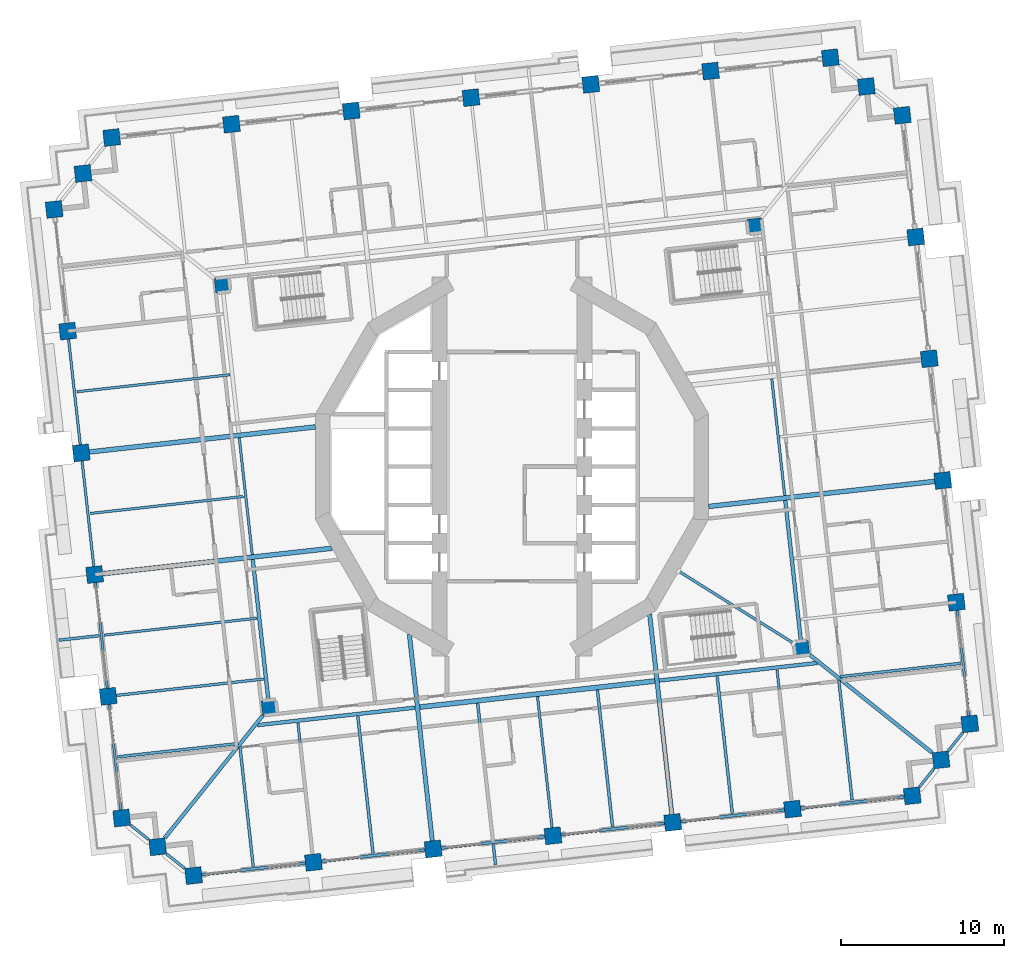
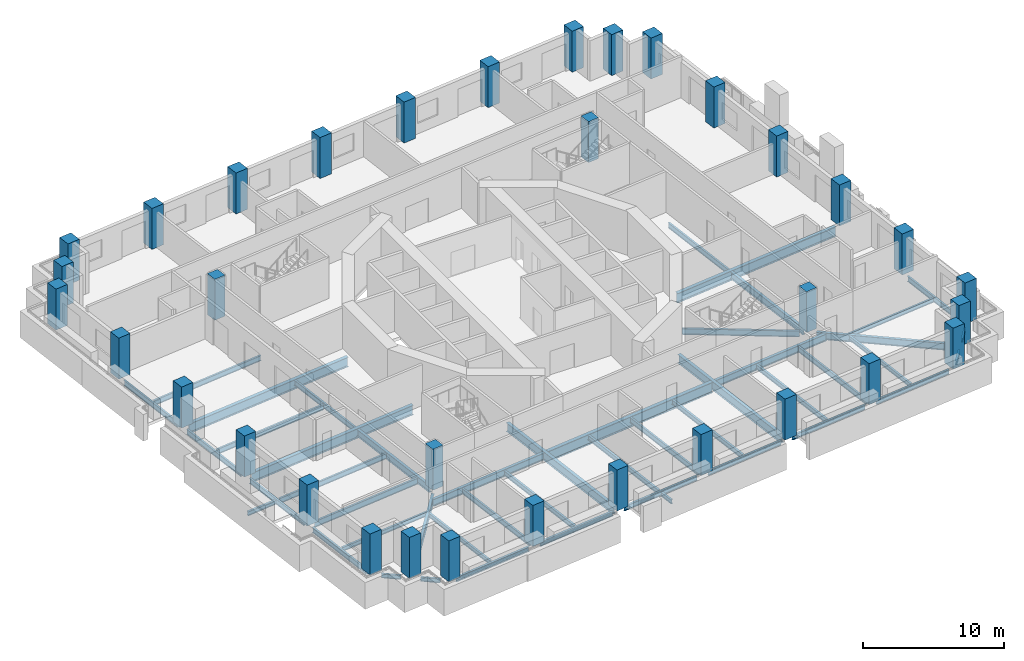
# One storey, part 1 of 19: 47 beams, 34 columns.
"""IFC4 building model written with IfcOpenShell, lengths in metres."""

from ifc_helpers import new_model, si_unit, direction, frame, origin, origin_2d, place, context, subcontext, project, spatial, rectangle, i_section, extrude, material, material_profile, profile_set, type_object, element, save


model = new_model("IFC4")

# Units and contexts
model_context = context("Model", 3, precision=1e-05, world=origin(), true_north=direction((0.0, 1.0)))
body_context = subcontext(model_context, "Body", "Model", "MODEL_VIEW")
ifc_project = project(units=[si_unit("LENGTHUNIT", "METRE"), si_unit("AREAUNIT", "SQUARE_METRE"), si_unit("VOLUMEUNIT", "CUBIC_METRE"), si_unit("PLANEANGLEUNIT", "RADIAN"), si_unit("MASSUNIT", "GRAM", prefix="KILO")], contexts=[model_context])

# Site, building, storey
site_placement = place(None, origin())
site = spatial("IfcSite", under=ifc_project, at=site_placement, CompositionType="ELEMENT")
building_placement = place(site_placement, origin())
building = spatial("IfcBuilding", under=site, at=building_placement, Name="Cantera Rosa Tower", CompositionType="ELEMENT")
storey_placement = place(building_placement, frame((0.0, 0.0, 65.300048828125)))
storey = spatial("IfcBuildingStorey", under=building, at=storey_placement, Name="L13", CompositionType="ELEMENT", Elevation=65.300048828125)

# Columns
ifc_material_1 = material(Name="Concrete C70/85", Category="concrete")
ifc_material_profile_1 = material_profile(ifc_material_1, rectangle(XDim=1.0, YDim=1.0, at=origin_2d()), Name="RC COLUMN RC1000X1000 C70/85")
ifc_profile_set_1 = profile_set([ifc_material_profile_1], Name="Concrete C70/85")
column_type_1 = type_object("IfcColumnType", Name="RC COLUMN RC1000X1000 C70/85", PredefinedType="COLUMN", material=ifc_profile_set_1)
for number, where, z_axis, x_axis, name in (
    (1, (28.114013671875, -15.795166015625, 0.0), (0.0, 0.0, 1.0), (0.993896946415, 0.110312555526, 0.0), "C-Z1-01 L13"),
    (2, (27.284423828125, -8.321044921875, 0.0), (0.0, 0.0, 1.0), (0.993896946415, 0.110312555526, 0.0), "C-Z1-02 L13"),
    (3, (26.454833984375, -0.846923828125, 0.0), (0.0, 0.0, 1.0), (0.993896946415, 0.110312555526, 0.0), "C-Z1-03 L13"),
    (4, (25.625244140625, 6.627197265625, 0.0), (0.0, 0.0, 1.0), (0.993896946415, 0.110312555526, 0.0), "C-Z1-04 L13"),
    (5, (24.795654296875, 14.101318359375, 0.0), (0.0, 0.0, 1.0), (0.993896946415, 0.110312555526, 0.0), "C-Z1-05 L13"),
    (6, (23.96630859375, 21.575439453125, 0.0), (0.0, 0.0, 1.0), (0.993896946415, 0.110312555526, 0.0), "C-Z1-06 L13"),
    (7, (21.7578125, 23.342529296875, 0.0), (0.0, 0.0, 1.0), (0.993896946415, 0.110312555526, 0.0), "C-Z1-07 L13"),
    (8, (19.54931640625, 25.10986328125, 0.0), (0.0, 0.0, 1.0), (0.993896946415, 0.110312555526, 0.0), "C-Z1-08 L13"),
    (9, (12.194580078125, 24.29345703125, 0.0), (0.0, 0.0, 1.0), (0.993896946415, 0.110312555526, 0.0), "C-Z1-09 L13"),
    (10, (4.839599609375, 23.47705078125, 0.0), (0.0, 0.0, 1.0), (0.993896946415, 0.110312555526, 0.0), "C-Z1-10 L13"),
    (11, (-2.51513671875, 22.660888671875, 0.0), (0.0, 0.0, 1.0), (0.993896946415, 0.110312555526, 0.0), "C-Z1-11 L13"),
    (12, (-9.869873046875, 21.844482421875, 0.0), (0.0, 0.0, 1.0), (0.993896946415, 0.110312555526, 0.0), "C-Z1-12 L13"),
    (13, (-17.224853515625, 21.0283203125, 0.0), (0.0, 0.0, 1.0), (0.993896946415, 0.110312555526, 0.0), "C-Z1-13 L13"),
    (14, (-24.57958984375, 20.2119140625, 0.0), (0.0, 0.0, 1.0), (0.993896946415, 0.110312555526, 0.0), "C-Z1-14 L13"),
    (15, (-26.346923828125, 18.00341796875, 0.0), (0.0, 0.0, 1.0), (0.993896946415, 0.110312555526, 0.0), "C-Z1-15 L13"),
    (16, (-28.114013671875, 15.795166015625, 0.0), (0.0, 0.0, 1.0), (0.993896946415, 0.110312555526, 0.0), "C-Z1-16 L13"),
    (17, (-27.284423828125, 8.321044921875, 0.0), (0.0, 0.0, 1.0), (0.993896946415, 0.110312555526, 0.0), "C-Z1-17 L13"),
    (18, (-26.454833984375, 0.846923828125, 0.0), (0.0, 0.0, 1.0), (0.993896946415, 0.110312555526, 0.0), "C-Z1-18 L13"),
    (19, (-25.625244140625, -6.627197265625, 0.0), (0.0, 0.0, 1.0), (0.993896946415, 0.110312555526, 0.0), "C-Z1-19 L13"),
    (20, (-24.795654296875, -14.101318359375, 0.0), (0.0, 0.0, 1.0), (0.993896946415, 0.110312555526, 0.0), "C-Z1-20 L13"),
    (21, (-23.96630859375, -21.575439453125, 0.0), (0.0, 0.0, 1.0), (0.993896946415, 0.110312555526, 0.0), "C-Z1-21 L13"),
    (22, (-21.7578125, -23.342529296875, 0.0), (0.0, 0.0, 1.0), (0.993896946415, 0.110312555526, 0.0), "C-Z1-22 L13"),
    (23, (-19.54931640625, -25.10986328125, 0.0), (0.0, 0.0, 1.0), (0.993896946415, 0.110312555526, 0.0), "C-Z1-23 L13"),
    (24, (-12.194580078125, -24.29345703125, 0.0), (0.0, 0.0, 1.0), (0.993896946415, 0.110312555526, 0.0), "C-Z1-24 L13"),
    (25, (-4.839599609375, -23.47705078125, 0.0), (0.0, 0.0, 1.0), (0.993896946415, 0.110312555526, 0.0), "C-Z1-25 L13"),
    (26, (2.51513671875, -22.660888671875, 0.0), (0.0, 0.0, 1.0), (0.993896946415, 0.110312555526, 0.0), "C-Z1-26 L13"),
    (27, (9.869873046875, -21.844482421875, 0.0), (0.0, 0.0, 1.0), (0.993896946415, 0.110312555526, 0.0), "C-Z1-27 L13"),
    (28, (17.224853515625, -21.0283203125, 0.0), (0.0, 0.0, 1.0), (0.993896946415, 0.110312555526, 0.0), "C-Z1-28 L13"),
    (29, (24.57958984375, -20.2119140625, 0.0), (0.0, 0.0, 1.0), (0.993896946415, 0.110312555526, 0.0), "C-Z1-29 L13"),
    (30, (26.346923828125, -18.00341796875, 0.0), (0.0, 0.0, 1.0), (0.993896946415, 0.110312555526, 0.0), "C-Z1-30 L13"),
):
    element("IfcColumn", number, at=place(storey_placement, frame(where, z_axis=z_axis, x_axis=x_axis)), inside=storey, type_object=column_type_1, Name=name, PredefinedType="COLUMN", context=body_context, shape_type="SweptSolid", body=[
        extrude(rectangle(XDim=1.0, YDim=1.0, at=origin_2d()), origin(), (0.0, 0.0, 1.0), 3.550048828125),
    ])
ifc_material_2 = material(Name="Concrete C70/85", Category="concrete")
ifc_material_profile_2 = material_profile(ifc_material_2, rectangle(XDim=0.89990234375, YDim=0.89990234375, at=origin_2d()), Name="RC RING COLUMN RC900X900 C70/85")
ifc_profile_set_2 = profile_set([ifc_material_profile_2], Name="Concrete C70/85")
column_type_2 = type_object("IfcColumnType", Name="RC RING COLUMN RC900X900 C70/85", PredefinedType="COLUMN", material=ifc_profile_set_2)
for number, where, z_axis, x_axis, name in (
    (31, (14.909912109375, 14.784912109375, 0.0), (0.0, 0.0, 1.0), (0.993896946415, 0.110312555526, 0.0), "CI-Z1-1 L13"),
    (32, (-17.7890625, 11.15576171875, 0.0), (0.0, 0.0, 1.0), (0.993896946415, 0.110312555526, 0.0), "CI-Z1-2 L13"),
    (33, (-14.909912109375, -14.784912109375, 0.0), (0.0, 0.0, 1.0), (0.993896946415, 0.110312555526, 0.0), "CI-Z1-3 L13"),
    (34, (17.7890625, -11.15576171875, 0.0), (0.0, 0.0, 1.0), (0.993896946415, 0.110312555526, 0.0), "CI-Z1-4 L13"),
):
    element("IfcColumn", number, at=place(storey_placement, frame(where, z_axis=z_axis, x_axis=x_axis)), inside=storey, type_object=column_type_2, Name=name, PredefinedType="COLUMN", context=body_context, shape_type="SweptSolid", body=[
        extrude(rectangle(XDim=0.89990234375, YDim=0.89990234375, at=origin_2d()), origin(), (0.0, 0.0, 1.0), 3.550048828125),
    ])

# Beams
ifc_material_3 = material(Name="Steel ASTM A992 (Fy 345 MPa)", Category="steel")
ifc_material_profile_3 = material_profile(ifc_material_3, i_section(OverallWidth=0.154052734375, OverallDepth=0.4599609375, WebThickness=0.009033203125, FlangeThickness=0.015380859375, FilletRadius=0.01025390625, at=origin_2d()), Name="W460X68")
ifc_profile_set_3 = profile_set([ifc_material_profile_3], Name="Steel ASTM A992 (Fy 345 MPa)")
beam_type_1 = type_object("IfcBeamType", Name="STEEL BEAM W460X68", PredefinedType="BEAM", material=ifc_profile_set_3)
beam_1_placement = place(storey_placement, frame((-12.249755859375, -23.796630859375, -0.47998046875), z_axis=(-0.110312435488, 0.993896959738, 0.0), x_axis=(-0.993896959738, -0.110312435488, 0.0)))
element("IfcBeam", 35, at=beam_1_placement, inside=storey, type_object=beam_type_1, Name="G-Z1-10 L13", PredefinedType="BEAM", context=body_context, shape_type="SweptSolid", body=[
    extrude(i_section(OverallWidth=0.154052734375, OverallDepth=0.4599609375, WebThickness=0.009033203125, FlangeThickness=0.015380859375, FilletRadius=0.01025390625, at=origin_2d()), origin(), (0.0, 0.0, 1.0), 8.10009765625),
])
for number, where, z_axis, x_axis, name in (
    (36, (2.4599609375, -22.163818359375, -0.47998046875), (-0.110315740112, 0.993896592953, 0.0), (-0.993896592953, -0.110315740112, 0.0), "G-Z1-12 L13"),
    (37, (17.169677734375, -20.53125, -0.47998046875), (-0.110315740112, 0.993896592953, 0.0), (-0.993896592953, -0.110315740112, 0.0), "G-Z1-14 L13"),
):
    element("IfcBeam", number, at=place(storey_placement, frame(where, z_axis=z_axis, x_axis=x_axis)), inside=storey, type_object=beam_type_1, Name=name, PredefinedType="BEAM", context=body_context, shape_type="SweptSolid", body=[
        extrude(i_section(OverallWidth=0.154052734375, OverallDepth=0.4599609375, WebThickness=0.009033203125, FlangeThickness=0.015380859375, FilletRadius=0.01025390625, at=origin_2d()), origin(), (0.0, 0.0, 1.0), 8.099853515625),
    ])
for number, where, z_axis, x_axis, name in (
    (38, (16.747802734375, -1.7734375, -0.47998046875), (-0.110301629462, 0.993898159037, 0.0), (-0.993898159037, -0.110301629462, 0.0), "RB-Z1-08 L13"),
    (39, (-15.951416015625, -5.402587890625, -0.47998046875), (-0.110301629462, 0.993898159037, 0.0), (-0.993898159037, -0.110301629462, 0.0), "RB-Z1-11 L13"),
):
    element("IfcBeam", number, at=place(storey_placement, frame(where, z_axis=z_axis, x_axis=x_axis)), inside=storey, type_object=beam_type_1, Name=name, PredefinedType="BEAM", context=body_context, shape_type="SweptSolid", body=[
        extrude(i_section(OverallWidth=0.154052734375, OverallDepth=0.4599609375, WebThickness=0.009033203125, FlangeThickness=0.015380859375, FilletRadius=0.01025390625, at=origin_2d()), origin(), (0.0, 0.0, 1.0), 7.219970703125),
    ])
ifc_material_4 = material(Name="Steel ASTM A992 (Fy 345 MPa)", Category="steel")
ifc_material_profile_4 = material_profile(ifc_material_4, i_section(OverallWidth=0.166015625, OverallDepth=0.528076171875, WebThickness=0.009765625, FlangeThickness=0.013671875, FilletRadius=0.0126953125, at=origin_2d()), Name="W530X74")
ifc_profile_set_4 = profile_set([ifc_material_profile_4], Name="Steel ASTM A992 (Fy 345 MPa)")
beam_type_2 = type_object("IfcBeamType", Name="STEEL BEAM W530X74", PredefinedType="BEAM", material=ifc_profile_set_4)
beam_2_placement = place(storey_placement, frame((-24.298828125, -14.046142578125, -0.51416015625), z_axis=(0.993896161189, 0.110319630049, 0.0), x_axis=(-0.110319630049, 0.993896161189, 0.0)))
element("IfcBeam", 40, at=beam_2_placement, inside=storey, type_object=beam_type_2, Name="G-Z1-18 L13", PredefinedType="BEAM", context=body_context, shape_type="SweptSolid", body=[
    extrude(i_section(OverallWidth=0.166015625, OverallDepth=0.528076171875, WebThickness=0.009765625, FlangeThickness=0.013671875, FilletRadius=0.0126953125, at=origin_2d()), origin(), (0.0, 0.0, 1.0), 9.10009765625),
])
beam_3_placement = place(storey_placement, frame((17.302490234375, -10.8505859375, -0.51416015625), z_axis=(-0.847189957301, 0.531290105543, 0.0), x_axis=(-0.531290105543, -0.847189957301, 0.0)))
element("IfcBeam", 41, at=beam_3_placement, inside=storey, type_object=beam_type_2, Name="PG-Z1-01 L13", PredefinedType="BEAM", context=body_context, shape_type="SweptSolid", body=[
    extrude(i_section(OverallWidth=0.166015625, OverallDepth=0.528076171875, WebThickness=0.009765625, FlangeThickness=0.013671875, FilletRadius=0.0126953125, at=origin_2d()), origin(), (0.0, 0.0, 1.0), 8.34130859375),
])
ifc_material_5 = material(Name="Steel ASTM A992 (Fy 345 MPa)", Category="steel")
ifc_material_profile_5 = material_profile(ifc_material_5, i_section(OverallWidth=0.22802734375, OverallDepth=0.60205078125, WebThickness=0.010498046875, FlangeThickness=0.014892578125, FilletRadius=0.0126953125, at=origin_2d()), Name="W610X101")
ifc_profile_set_5 = profile_set([ifc_material_profile_5], Name="Steel ASTM A992 (Fy 345 MPa)")
beam_type_3 = type_object("IfcBeamType", Name="STEEL BEAM W610X101", PredefinedType="BEAM", material=ifc_profile_set_5)
beam_4_placement = place(storey_placement, frame((-21.31591796875, -22.79052734375, -0.551025390625), z_axis=(0.624787924463, 0.780794498857, 0.0), x_axis=(-0.780794498857, 0.624787924463, 0.0)))
element("IfcBeam", 42, at=beam_4_placement, inside=storey, type_object=beam_type_3, Name="CB-Z1-03 L13", PredefinedType="BEAM", context=body_context, shape_type="SweptSolid", body=[
    extrude(i_section(OverallWidth=0.22802734375, OverallDepth=0.60205078125, WebThickness=0.010498046875, FlangeThickness=0.014892578125, FilletRadius=0.0126953125, at=origin_2d()), origin(), (0.0, 0.0, 1.0), 9.616455078125),
])
beam_5_placement = place(storey_placement, frame((25.794677734375, -17.561767578125, -0.551025390625), z_axis=(-0.78078211406, 0.62480340137, 0.0), x_axis=(-0.62480340137, -0.78078211406, 0.0)))
element("IfcBeam", 43, at=beam_5_placement, inside=storey, type_object=beam_type_3, Name="CB-Z1-04 L13", PredefinedType="BEAM", context=body_context, shape_type="SweptSolid", body=[
    extrude(i_section(OverallWidth=0.22802734375, OverallDepth=0.60205078125, WebThickness=0.010498046875, FlangeThickness=0.014892578125, FilletRadius=0.0126953125, at=origin_2d()), origin(), (0.0, 0.0, 1.0), 9.61669921875),
])
for number, where, z_axis, x_axis, name in (
    (44, (17.739501953125, -10.70849609375, -0.551025390625), (-0.110298932846, 0.993898458301, 0.0), (-0.993898458301, -0.110298932846, 0.0), "RB-Z1-07 L13"),
    (45, (-14.959716796875, -14.337646484375, -0.551025390625), (-0.110298932846, 0.993898458301, 0.0), (-0.993898458301, -0.110298932846, 0.0), "RB-Z1-10 L13"),
):
    element("IfcBeam", number, at=place(storey_placement, frame(where, z_axis=z_axis, x_axis=x_axis)), inside=storey, type_object=beam_type_3, Name=name, PredefinedType="BEAM", context=body_context, shape_type="SweptSolid", body=[
        extrude(i_section(OverallWidth=0.22802734375, OverallDepth=0.60205078125, WebThickness=0.010498046875, FlangeThickness=0.014892578125, FilletRadius=0.0126953125, at=origin_2d()), origin(), (0.0, 0.0, 1.0), 8.68994140625),
    ])
ifc_material_6 = material(Name="Steel ASTM A992 (Fy 345 MPa)", Category="steel")
ifc_material_profile_6 = material_profile(ifc_material_6, i_section(OverallWidth=0.22900390625, OverallDepth=0.612060546875, WebThickness=0.011962890625, FlangeThickness=0.01953125, FilletRadius=0.0126953125, at=origin_2d()), Name="W610X125")
ifc_profile_set_6 = profile_set([ifc_material_profile_6], Name="Steel ASTM A992 (Fy 345 MPa)")
beam_type_4 = type_object("IfcBeamType", Name="STEEL BEAM W610X125", PredefinedType="BEAM", material=ifc_profile_set_6)
beam_6_placement = place(storey_placement, frame((-15.64453125, -15.87255859375, -0.55615234375), z_axis=(0.993898078625, 0.110302354035, 0.0), x_axis=(-0.110302354035, 0.993898078625, 0.0)))
element("IfcBeam", 46, at=beam_6_placement, inside=storey, type_object=beam_type_4, Name="RB-Z1-04 L13", PredefinedType="BEAM", context=body_context, shape_type="SweptSolid", body=[
    extrude(i_section(OverallWidth=0.22900390625, OverallDepth=0.612060546875, WebThickness=0.011962890625, FlangeThickness=0.01953125, FilletRadius=0.0126953125, at=origin_2d()), origin(), (0.0, 0.0, 1.0), 9.75),
])
beam_7_placement = place(storey_placement, frame((9.0537109375, -13.13134765625, -0.55615234375), z_axis=(0.993898383269, 0.110299608956, 0.0), x_axis=(-0.110299608956, 0.993898383269, 0.0)))
element("IfcBeam", 47, at=beam_7_placement, inside=storey, type_object=beam_type_4, Name="RB-Z1-06 L13", PredefinedType="BEAM", context=body_context, shape_type="SweptSolid", body=[
    extrude(i_section(OverallWidth=0.22900390625, OverallDepth=0.612060546875, WebThickness=0.011962890625, FlangeThickness=0.01953125, FilletRadius=0.0126953125, at=origin_2d()), origin(), (0.0, 0.0, 1.0), 9.750244140625),
])
ifc_material_7 = material(Name="Steel ASTM A992 (Fy 345 MPa)", Category="steel")
ifc_material_profile_7 = material_profile(ifc_material_7, i_section(OverallWidth=0.26708984375, OverallDepth=0.75390625, WebThickness=0.01318359375, FlangeThickness=0.01708984375, FilletRadius=0.0166015625, at=origin_2d()), Name="W760X147")
ifc_profile_set_7 = profile_set([ifc_material_profile_7], Name="Steel ASTM A992 (Fy 345 MPa)")
beam_type_5 = type_object("IfcBeamType", Name="STEEL BEAM W760X147", PredefinedType="BEAM", material=ifc_profile_set_7)
beam_8_placement = place(storey_placement, frame((-4.894775390625, -22.980224609375, -0.626953125), z_axis=(-0.11031177493, 0.993897033053, 0.0), x_axis=(-0.993897033053, -0.11031177493, 0.0)))
element("IfcBeam", 48, at=beam_8_placement, inside=storey, type_object=beam_type_5, Name="G-Z1-11 L13", PredefinedType="BEAM", context=body_context, shape_type="SweptSolid", body=[
    extrude(i_section(OverallWidth=0.26708984375, OverallDepth=0.75390625, WebThickness=0.01318359375, FlangeThickness=0.01708984375, FilletRadius=0.0166015625, at=origin_2d()), origin(), (0.0, 0.0, 1.0), 12.754638671875),
])
beam_9_placement = place(storey_placement, frame((9.814697265625, -21.34765625, -0.626953125), z_axis=(-0.110292782244, 0.993899140851, 0.0), x_axis=(-0.993899140851, -0.110292782244, 0.0)))
element("IfcBeam", 49, at=beam_9_placement, inside=storey, type_object=beam_type_5, Name="G-Z1-13 L13", PredefinedType="BEAM", context=body_context, shape_type="SweptSolid", body=[
    extrude(i_section(OverallWidth=0.26708984375, OverallDepth=0.75390625, WebThickness=0.01318359375, FlangeThickness=0.01708984375, FilletRadius=0.0166015625, at=origin_2d()), origin(), (0.0, 0.0, 1.0), 12.360595703125),
])
ifc_material_8 = material(Name="Steel ASTM A992 (Fy 345 MPa)", Category="steel")
ifc_material_profile_8 = material_profile(ifc_material_8, i_section(OverallWidth=0.2919921875, OverallDepth=0.8359375, WebThickness=0.013916015625, FlangeThickness=0.018798828125, FilletRadius=0.017822265625, at=origin_2d()), Name="W840X176")
ifc_profile_set_8 = profile_set([ifc_material_profile_8], Name="Steel ASTM A992 (Fy 345 MPa)")
beam_type_6 = type_object("IfcBeamType", Name="STEEL BEAM W840X176", PredefinedType="BEAM", material=ifc_profile_set_8)
for number, where, z_axis, x_axis, name in (
    (50, (25.9580078125, -0.902099609375, -0.66796875), (-0.993898644981, -0.110297250672, 0.0), (0.110297250672, -0.993898644981, 0.0), "G-Z1-02 L13"),
    (51, (-25.9580078125, 0.902099609375, -0.66796875), (0.993898644981, 0.110297250672, 0.0), (-0.110297250672, 0.993898644981, 0.0), "G-Z1-16 L13"),
):
    element("IfcBeam", number, at=place(storey_placement, frame(where, z_axis=z_axis, x_axis=x_axis)), inside=storey, type_object=beam_type_6, Name=name, PredefinedType="BEAM", context=body_context, shape_type="SweptSolid", body=[
        extrude(i_section(OverallWidth=0.2919921875, OverallDepth=0.8359375, WebThickness=0.013916015625, FlangeThickness=0.018798828125, FilletRadius=0.017822265625, at=origin_2d()), origin(), (0.0, 0.0, 1.0), 13.96923828125),
    ])
beam_10_placement = place(storey_placement, frame((-25.12841796875, -6.572021484375, -0.66796875), z_axis=(0.993897599241, 0.110306673519, 0.0), x_axis=(-0.110306673519, 0.993897599241, 0.0)))
element("IfcBeam", 52, at=beam_10_placement, inside=storey, type_object=beam_type_6, Name="G-Z1-17 L13", PredefinedType="BEAM", context=body_context, shape_type="SweptSolid", body=[
    extrude(i_section(OverallWidth=0.2919921875, OverallDepth=0.8359375, WebThickness=0.013916015625, FlangeThickness=0.018798828125, FilletRadius=0.017822265625, at=origin_2d()), origin(), (0.0, 0.0, 1.0), 14.1650390625),
])
ifc_material_9 = material(Name="Steel ASTM A992 (Fy 345 MPa)", Category="steel")
ifc_material_profile_9 = material_profile(ifc_material_9, i_section(OverallWidth=0.304931640625, OverallDepth=0.9189453125, WebThickness=0.017333984375, FlangeThickness=0.02783203125, FilletRadius=0.01904296875, at=origin_2d()), Name="W920X253")
ifc_profile_set_9 = profile_set([ifc_material_profile_9], Name="Steel ASTM A992 (Fy 345 MPa)")
beam_type_7 = type_object("IfcBeamType", Name="STEEL BEAM W920X253", PredefinedType="BEAM", material=ifc_profile_set_9)
beam_11_placement = place(storey_placement, frame((-5.65576171875, -14.763916015625, -0.70947265625), z_axis=(0.993898099692, 0.110302164209, 0.0), x_axis=(-0.110302164209, 0.993898099692, 0.0)))
element("IfcBeam", 53, at=beam_11_placement, inside=storey, type_object=beam_type_7, Name="RB-Z1-05 L13", PredefinedType="BEAM", context=body_context, shape_type="SweptSolid", body=[
    extrude(i_section(OverallWidth=0.304931640625, OverallDepth=0.9189453125, WebThickness=0.017333984375, FlangeThickness=0.02783203125, FilletRadius=0.01904296875, at=origin_2d()), origin(), (0.0, 0.0, 1.0), 14.499755859375),
])
ifc_material_10 = material(Name="Steel ASTM A992 (Fy 345 MPa)", Category="steel")
ifc_material_profile_10 = material_profile(ifc_material_10, i_section(OverallWidth=0.1708984375, OverallDepth=0.35595703125, WebThickness=0.00732421875, FlangeThickness=0.01171875, FilletRadius=0.010009765625, at=origin_2d()), Name="W360X51")
ifc_profile_set_10 = profile_set([ifc_material_profile_10], Name="Steel ASTM A992 (Fy 345 MPa)")
beam_type_8 = type_object("IfcBeamType", Name="STEEL JOIST W360X51", PredefinedType="JOIST", material=ifc_profile_set_10)
beam_12_placement = place(storey_placement, frame((27.550048828125, -12.074462890625, -0.427978515625), z_axis=(-0.993895702238, -0.110323764768, 0.0), x_axis=(0.110323764768, -0.993895702238, 0.0)))
element("IfcBeam", 54, at=beam_12_placement, inside=storey, type_object=beam_type_8, Name="B-Z1-01 L13", PredefinedType="JOIST", context=body_context, shape_type="SweptSolid", body=[
    extrude(i_section(OverallWidth=0.1708984375, OverallDepth=0.35595703125, WebThickness=0.00732421875, FlangeThickness=0.01171875, FilletRadius=0.010009765625, at=origin_2d()), origin(), (0.0, 0.0, 1.0), 7.4599609375),
])
for number, where, z_axis, x_axis, name in (
    (55, (-15.888427734375, -24.552490234375, -0.427978515625), (-0.110326513132, 0.993895397162, 0.0), (-0.993895397162, -0.110326513132, 0.0), "B-Z1-12 L13"),
    (56, (20.8857421875, -20.470947265625, -0.427978515625), (-0.110326513132, 0.993895397162, 0.0), (-0.993895397162, -0.110326513132, 0.0), "B-Z1-17 L13"),
):
    element("IfcBeam", number, at=place(storey_placement, frame(where, z_axis=z_axis, x_axis=x_axis)), inside=storey, type_object=beam_type_8, Name=name, PredefinedType="JOIST", context=body_context, shape_type="SweptSolid", body=[
        extrude(i_section(OverallWidth=0.1708984375, OverallDepth=0.35595703125, WebThickness=0.00732421875, FlangeThickness=0.01171875, FilletRadius=0.010009765625, at=origin_2d()), origin(), (0.0, 0.0, 1.0), 7.39990234375),
    ])
beam_13_placement = place(storey_placement, frame((-24.23193359375, -17.82177734375, -0.427978515625), z_axis=(0.993899688369, 0.110287848199, 0.0), x_axis=(-0.110287848199, 0.993899688369, 0.0)))
element("IfcBeam", 57, at=beam_13_placement, inside=storey, type_object=beam_type_8, Name="B-Z1-22 L13", PredefinedType="JOIST", context=body_context, shape_type="SweptSolid", body=[
    extrude(i_section(OverallWidth=0.1708984375, OverallDepth=0.35595703125, WebThickness=0.00732421875, FlangeThickness=0.01171875, FilletRadius=0.010009765625, at=origin_2d()), origin(), (0.0, 0.0, 1.0), 7.4599609375),
])
beam_14_placement = place(storey_placement, frame((-25.33984375, -10.378662109375, -0.427978515625), z_axis=(-0.993894523039, -0.110334387538, 0.0), x_axis=(0.110334387538, -0.993894523039, 0.0)))
element("IfcBeam", 58, at=beam_14_placement, inside=storey, type_object=beam_type_8, Name="BS-Z1-11 L13", PredefinedType="JOIST", context=body_context, shape_type="SweptSolid", body=[
    extrude(i_section(OverallWidth=0.1708984375, OverallDepth=0.35595703125, WebThickness=0.00732421875, FlangeThickness=0.01171875, FilletRadius=0.010009765625, at=origin_2d()), origin(), (0.0, 0.0, 1.0), 2.482666015625),
])
beam_15_placement = place(storey_placement, frame((-1.14794921875, -23.1982421875, -0.427978515625), z_axis=(0.110345783203, -0.993893257915, 0.0), x_axis=(0.993893257915, 0.110345783203, 0.0)))
element("IfcBeam", 59, at=beam_15_placement, inside=storey, type_object=beam_type_8, Name="BS-Z1-13 L13", PredefinedType="JOIST", context=body_context, shape_type="SweptSolid", body=[
    extrude(i_section(OverallWidth=0.1708984375, OverallDepth=0.35595703125, WebThickness=0.00732421875, FlangeThickness=0.01171875, FilletRadius=0.010009765625, at=origin_2d()), origin(), (0.0, 0.0, 1.0), 1.25),
])
ifc_material_11 = material(Name="Steel ASTM A992 (Fy 345 MPa)", Category="steel")
ifc_material_profile_11 = material_profile(ifc_material_11, i_section(OverallWidth=0.177978515625, OverallDepth=0.406005859375, WebThickness=0.0078125, FlangeThickness=0.0126953125, FilletRadius=0.01025390625, at=origin_2d()), Name="W410X60")
ifc_profile_set_11 = profile_set([ifc_material_profile_11], Name="Steel ASTM A992 (Fy 345 MPa)")
beam_type_9 = type_object("IfcBeamType", Name="STEEL JOIST W410X60", PredefinedType="JOIST", material=ifc_profile_set_11)
for number, where, z_axis, x_axis, name in (
    (60, (-8.53369140625, -23.736328125, -0.453125), (-0.110311022989, 0.99389711651, 0.0), (-0.99389711651, -0.110311022989, 0.0), "B-Z1-13 L13"),
    (61, (-1.178955078125, -22.919921875, -0.453125), (-0.110311022989, 0.99389711651, 0.0), (-0.99389711651, -0.110311022989, 0.0), "B-Z1-14 L13"),
    (62, (6.176025390625, -22.103515625, -0.453125), (-0.110311022989, 0.99389711651, 0.0), (-0.99389711651, -0.110311022989, 0.0), "B-Z1-15 L13"),
    (63, (13.53076171875, -21.287353515625, -0.453125), (-0.110311022989, 0.99389711651, 0.0), (-0.99389711651, -0.110311022989, 0.0), "B-Z1-16 L13"),
):
    element("IfcBeam", number, at=place(storey_placement, frame(where, z_axis=z_axis, x_axis=x_axis)), inside=storey, type_object=beam_type_9, Name=name, PredefinedType="JOIST", context=body_context, shape_type="SweptSolid", body=[
        extrude(i_section(OverallWidth=0.177978515625, OverallDepth=0.406005859375, WebThickness=0.0078125, FlangeThickness=0.0126953125, FilletRadius=0.01025390625, at=origin_2d()), origin(), (0.0, 0.0, 1.0), 8.449951171875),
    ])
ifc_material_12 = material(Name="Steel ASTM A992 (Fy 345 MPa)", Category="steel")
ifc_material_profile_12 = material_profile(ifc_material_12, i_section(OverallWidth=0.154052734375, OverallDepth=0.4599609375, WebThickness=0.009033203125, FlangeThickness=0.015380859375, FilletRadius=0.01025390625, at=origin_2d()), Name="W460X68")
ifc_profile_set_12 = profile_set([ifc_material_profile_12], Name="Steel ASTM A992 (Fy 345 MPa)")
beam_type_10 = type_object("IfcBeamType", Name="STEEL JOIST W460X68", PredefinedType="JOIST", material=ifc_profile_set_12)
for number, where, z_axis, x_axis, name in (
    (64, (-26.720458984375, 4.600341796875, -0.47998046875), (0.993896645353, 0.110315268011, 0.0), (-0.110315268011, 0.993896645353, 0.0), "B-Z1-19 L13"),
    (65, (-25.89111328125, -2.87353515625, -0.47998046875), (0.993899477629, 0.110289747342, 0.0), (-0.110289747342, 0.993899477629, 0.0), "B-Z1-20 L13"),
    (66, (-25.0615234375, -10.34765625, -0.47998046875), (0.993896645353, 0.110315268011, 0.0), (-0.110315268011, 0.993896645353, 0.0), "B-Z1-21 L13"),
):
    element("IfcBeam", number, at=place(storey_placement, frame(where, z_axis=z_axis, x_axis=x_axis)), inside=storey, type_object=beam_type_10, Name=name, PredefinedType="JOIST", context=body_context, shape_type="SweptSolid", body=[
        extrude(i_section(OverallWidth=0.154052734375, OverallDepth=0.4599609375, WebThickness=0.009033203125, FlangeThickness=0.015380859375, FilletRadius=0.01025390625, at=origin_2d()), origin(), (0.0, 0.0, 1.0), 9.449951171875),
    ])
ifc_material_13 = material(Name="Steel ASTM A992 (Fy 345 MPa)", Category="steel")
ifc_material_profile_13 = material_profile(ifc_material_13, i_section(OverallWidth=0.1708984375, OverallDepth=0.35595703125, WebThickness=0.00732421875, FlangeThickness=0.01171875, FilletRadius=0.010009765625, at=origin_2d()), Name="W360X51")
ifc_profile_set_13 = profile_set([ifc_material_profile_13], Name="Steel ASTM A992 (Fy 345 MPa)")
beam_type_11 = type_object("IfcBeamType", Name="STEEL SPANDREL BEAM W360X51", PredefinedType="SPANDREL", material=ifc_profile_set_13)
for number, where, z_axis, x_axis, name in (
    (67, (-23.4140625, -22.017333984375, -0.427978515625), (0.780818280208, -0.624758203863, 0.0), (0.624758203863, 0.780818280208, 0.0), "EB-Z1-21 L13"),
    (68, (-21.205810546875, -23.784423828125, -0.427978515625), (0.780818280208, -0.624758203863, 0.0), (0.624758203863, 0.780818280208, 0.0), "EB-Z1-22 L13"),
    (69, (25.021484375, -19.659912109375, -0.427978515625), (0.624758203863, 0.780818280208, 0.0), (-0.780818280208, 0.624758203863, 0.0), "EB-Z1-29 L13"),
    (70, (26.78857421875, -17.451416015625, -0.427978515625), (0.624758203863, 0.780818280208, 0.0), (-0.780818280208, 0.624758203863, 0.0), "EB-Z1-30 L13"),
):
    element("IfcBeam", number, at=place(storey_placement, frame(where, z_axis=z_axis, x_axis=x_axis)), inside=storey, type_object=beam_type_11, Name=name, PredefinedType="SPANDREL", context=body_context, shape_type="SweptSolid", body=[
        extrude(i_section(OverallWidth=0.1708984375, OverallDepth=0.35595703125, WebThickness=0.00732421875, FlangeThickness=0.01171875, FilletRadius=0.010009765625, at=origin_2d()), origin(), (0.0, 0.0, 1.0), 1.414306640625),
    ])
ifc_material_14 = material(Name="Steel ASTM A992 (Fy 345 MPa)", Category="steel")
ifc_material_profile_14 = material_profile(ifc_material_14, i_section(OverallWidth=0.177978515625, OverallDepth=0.406005859375, WebThickness=0.0078125, FlangeThickness=0.0126953125, FilletRadius=0.01025390625, at=origin_2d()), Name="W410X60")
ifc_profile_set_14 = profile_set([ifc_material_profile_14], Name="Steel ASTM A992 (Fy 345 MPa)")
beam_type_12 = type_object("IfcBeamType", Name="STEEL SPANDREL BEAM W410X60", PredefinedType="SPANDREL", material=ifc_profile_set_14)
beam_16_placement = place(storey_placement, frame((-19.052490234375, -25.0546875, -0.453125), z_axis=(0.993896288542, 0.110318482689, 0.0), x_axis=(-0.110318482689, 0.993896288542, 0.0)))
element("IfcBeam", 71, at=beam_16_placement, inside=storey, type_object=beam_type_12, Name="EB-Z1-23 L13", PredefinedType="SPANDREL", context=body_context, shape_type="SweptSolid", body=[
    extrude(i_section(OverallWidth=0.177978515625, OverallDepth=0.406005859375, WebThickness=0.0078125, FlangeThickness=0.0126953125, FilletRadius=0.01025390625, at=origin_2d()), origin(), (0.0, 0.0, 1.0), 6.400146484375),
])
for number, where, z_axis, x_axis, name in (
    (72, (-11.697509765625, -24.23828125, -0.453125), (0.993895824271, 0.110322665379, 0.0), (-0.110322665379, 0.993895824271, 0.0), "EB-Z1-24 L13"),
    (73, (-4.3427734375, -23.422119140625, -0.453125), (0.993895824271, 0.110322665379, 0.0), (-0.110322665379, 0.993895824271, 0.0), "EB-Z1-25 L13"),
):
    element("IfcBeam", number, at=place(storey_placement, frame(where, z_axis=z_axis, x_axis=x_axis)), inside=storey, type_object=beam_type_12, Name=name, PredefinedType="SPANDREL", context=body_context, shape_type="SweptSolid", body=[
        extrude(i_section(OverallWidth=0.177978515625, OverallDepth=0.406005859375, WebThickness=0.0078125, FlangeThickness=0.0126953125, FilletRadius=0.01025390625, at=origin_2d()), origin(), (0.0, 0.0, 1.0), 6.39990234375),
    ])
beam_17_placement = place(storey_placement, frame((3.011962890625, -22.605712890625, -0.453125), z_axis=(0.993896288542, 0.110318482689, 0.0), x_axis=(-0.110318482689, 0.993896288542, 0.0)))
element("IfcBeam", 74, at=beam_17_placement, inside=storey, type_object=beam_type_12, Name="EB-Z1-26 L13", PredefinedType="SPANDREL", context=body_context, shape_type="SweptSolid", body=[
    extrude(i_section(OverallWidth=0.177978515625, OverallDepth=0.406005859375, WebThickness=0.0078125, FlangeThickness=0.0126953125, FilletRadius=0.01025390625, at=origin_2d()), origin(), (0.0, 0.0, 1.0), 6.400146484375),
])
beam_18_placement = place(storey_placement, frame((10.366943359375, -21.789306640625, -0.453125), z_axis=(0.993900006422, 0.110284981906, 0.0), x_axis=(-0.110284981906, 0.993900006422, 0.0)))
element("IfcBeam", 75, at=beam_18_placement, inside=storey, type_object=beam_type_12, Name="EB-Z1-27 L13", PredefinedType="SPANDREL", context=body_context, shape_type="SweptSolid", body=[
    extrude(i_section(OverallWidth=0.177978515625, OverallDepth=0.406005859375, WebThickness=0.0078125, FlangeThickness=0.0126953125, FilletRadius=0.01025390625, at=origin_2d()), origin(), (0.0, 0.0, 1.0), 6.39990234375),
])
beam_19_placement = place(storey_placement, frame((17.7216796875, -20.97314453125, -0.453125), z_axis=(0.993896288542, 0.110318482689, 0.0), x_axis=(-0.110318482689, 0.993896288542, 0.0)))
element("IfcBeam", 76, at=beam_19_placement, inside=storey, type_object=beam_type_12, Name="EB-Z1-28 L13", PredefinedType="SPANDREL", context=body_context, shape_type="SweptSolid", body=[
    extrude(i_section(OverallWidth=0.177978515625, OverallDepth=0.406005859375, WebThickness=0.0078125, FlangeThickness=0.0126953125, FilletRadius=0.01025390625, at=origin_2d()), origin(), (0.0, 0.0, 1.0), 6.400146484375),
])
ifc_material_15 = material(Name="Steel ASTM A992 (Fy 345 MPa)", Category="steel")
ifc_material_profile_15 = material_profile(ifc_material_15, i_section(OverallWidth=0.154052734375, OverallDepth=0.4599609375, WebThickness=0.009033203125, FlangeThickness=0.015380859375, FilletRadius=0.01025390625, at=origin_2d()), Name="W460X68")
ifc_profile_set_15 = profile_set([ifc_material_profile_15], Name="Steel ASTM A992 (Fy 345 MPa)")
beam_type_13 = type_object("IfcBeamType", Name="STEEL SPANDREL BEAM W460X68", PredefinedType="SPANDREL", material=ifc_profile_set_15)
for number, where, z_axis, x_axis, name in (
    (77, (28.058837890625, -15.298095703125, -0.47998046875), (-0.110312341265, 0.993896970196, 0.0), (-0.993896970196, -0.110312341265, 0.0), "EB-Z1-01 L13"),
    (78, (-27.229248046875, 7.823974609375, -0.47998046875), (0.110312341265, -0.993896970196, 0.0), (0.993896970196, 0.110312341265, 0.0), "EB-Z1-17 L13"),
    (79, (-26.399658203125, 0.349853515625, -0.47998046875), (0.110312341265, -0.993896970196, 0.0), (0.993896970196, 0.110312341265, 0.0), "EB-Z1-18 L13"),
    (80, (-25.570068359375, -7.124267578125, -0.47998046875), (0.110312341265, -0.993896970196, 0.0), (0.993896970196, 0.110312341265, 0.0), "EB-Z1-19 L13"),
    (81, (-24.74072265625, -14.598388671875, -0.47998046875), (0.110312341265, -0.993896970196, 0.0), (0.993896970196, 0.110312341265, 0.0), "EB-Z1-20 L13"),
):
    element("IfcBeam", number, at=place(storey_placement, frame(where, z_axis=z_axis, x_axis=x_axis)), inside=storey, type_object=beam_type_13, Name=name, PredefinedType="SPANDREL", context=body_context, shape_type="SweptSolid", body=[
        extrude(i_section(OverallWidth=0.154052734375, OverallDepth=0.4599609375, WebThickness=0.009033203125, FlangeThickness=0.015380859375, FilletRadius=0.01025390625, at=origin_2d()), origin(), (0.0, 0.0, 1.0), 6.52001953125),
    ])

save(model, "model.ifc")
